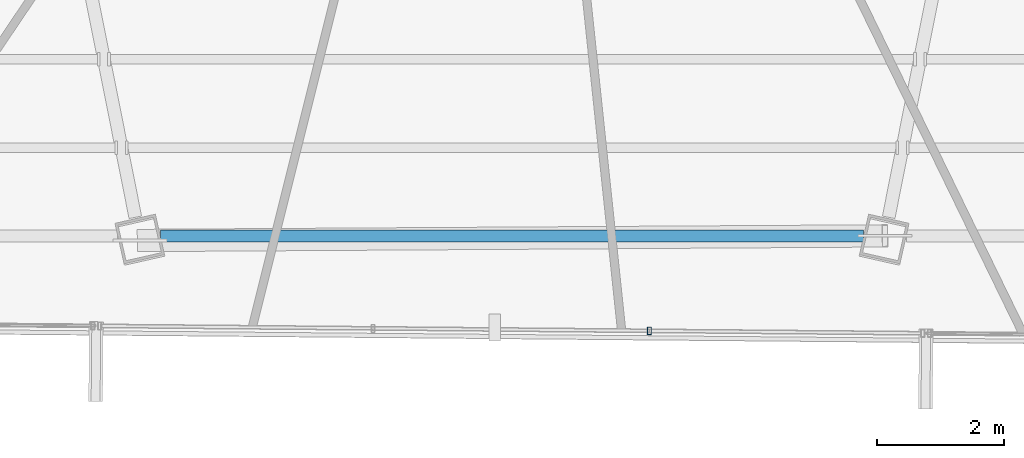
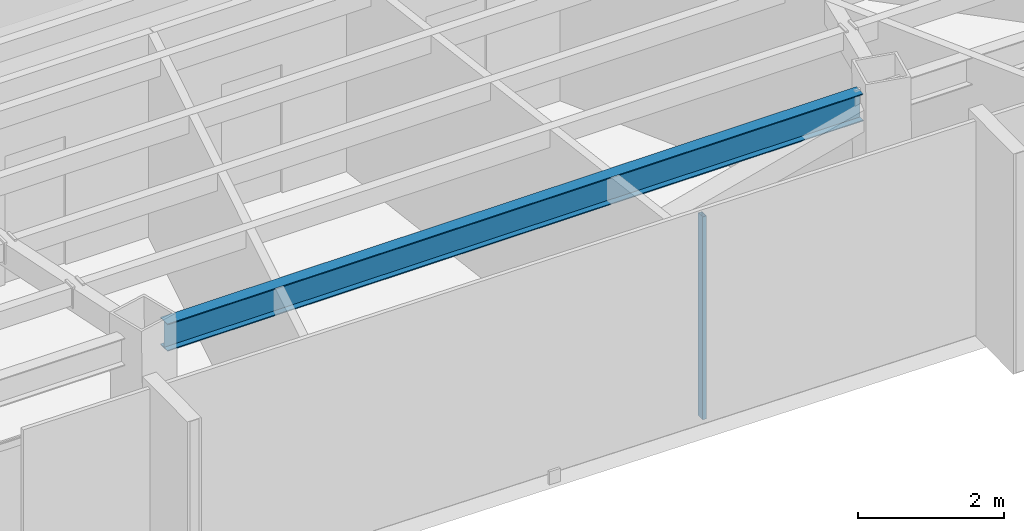
# One storey, part 13 of 45: 1 beam, 1 member, 1 element without a shape of its own.
"""IFC4 building model written with IfcOpenShell, lengths in metres."""

from ifc_helpers import new_model, si_unit, direction, frame, origin, origin_2d, place, context, subcontext, project, spatial, hollow_rectangle, i_section, extrude, source, transform, mapped, material, material_profile, profile_set, type_object, type_shapes, element, aggregate, save


model = new_model("IFC4")

# Units and contexts
model_context = context("Model", 3, precision=1e-05, world=origin(), true_north=direction((0.0, 1.0)))
body_context = subcontext(model_context, "Body", "Model", "MODEL_VIEW")
ifc_project = project(units=[si_unit("LENGTHUNIT", "METRE"), si_unit("AREAUNIT", "SQUARE_METRE"), si_unit("VOLUMEUNIT", "CUBIC_METRE"), si_unit("PLANEANGLEUNIT", "RADIAN"), si_unit("MASSUNIT", "GRAM", prefix="KILO")], contexts=[model_context])

# Site, building, storey
site_placement = place(None, origin())
site = spatial("IfcSite", under=ifc_project, at=site_placement, CompositionType="ELEMENT")
building_placement = place(site_placement, origin())
building = spatial("IfcBuilding", under=site, at=building_placement, Name="Caelisora Broadcast Tower", CompositionType="ELEMENT")
storey_placement = place(building_placement, frame((0.0, 0.0, 240.800048828125)))
storey = spatial("IfcBuildingStorey", under=building, at=storey_placement, Name="L63", CompositionType="ELEMENT", Elevation=240.800048828125)

# Beam
ifc_material_1 = material(Name="Steel Grade 350 (AS/NZS 3679.1)", Category="steel")
ifc_material_profile_1 = material_profile(ifc_material_1, i_section(OverallWidth=0.19091796875, OverallDepth=0.46044921875, WebThickness=0.010009765625, FlangeThickness=0.01611328125, at=origin_2d()), Name="Steel Grade 350 (AS/NZS 3679.1)")
ifc_profile_set_1 = profile_set([ifc_material_profile_1], Name="Steel Grade 350 (AS/NZS 3679.1)")
beam_type = type_object("IfcBeamType", Name="PG06", PredefinedType="BEAM", material=ifc_profile_set_1)
shared_shape_1 = source(origin(), body_context, "Body", "SweptSolid", [
    extrude(i_section(OverallWidth=0.19091796875, OverallDepth=0.46044921875, WebThickness=0.010009765625, FlangeThickness=0.01611328125, at=origin_2d()), origin(), (0.0, 0.0, 1.0), 11.02587890625),
])
type_shapes(beam_type, [shared_shape_1])
beam_placement = place(storey_placement, frame((32.487060546875, 9.09521484375, 3.169677734375), z_axis=(1.0, 0.0, 0.0), x_axis=(0.0, 1.0, 0.0)))
element("IfcBeam", 1, at=beam_placement, inside=storey, type_object=beam_type, Name="L63 beam PG06", PredefinedType="BEAM", context=body_context, shape_type="MappedRepresentation", body=[
    mapped(shared_shape_1, transform((0.0, 0.0, 0.0), scale=1.0)),
])

# Curtain wall, member
ifc_material_2 = material(Name="Unitised Aluminium Insulated Shadow-Box Spandrel Curtain Wall", Category="aluminium")
curtain_wall_type = type_object("IfcCurtainWallType", Name="CW-SP3", PredefinedType="NOTDEFINED", material=ifc_material_2)
curtain_wall_placement = place(storey_placement, origin())
curtain_wall = element("IfcCurtainWall", 2, at=curtain_wall_placement, inside=storey, type_object=curtain_wall_type, Name="L63 curtain wall CW-SP3", PredefinedType="NOTDEFINED")
ifc_material_3 = material(Name="Aluminium 6063-T6 Anodised Terracotta Bronze", Category="aluminium")
ifc_material_profile_2 = material_profile(ifc_material_3, hollow_rectangle(XDim=0.06005859375, YDim=0.1201171875, WallThickness=0.0029296875, at=origin_2d()), Name="Aluminium 6063-T6 Anodised Terracotta Bronze")
ifc_profile_set_2 = profile_set([ifc_material_profile_2], Name="Aluminium 6063-T6 Anodised Terracotta Bronze")
member_type = type_object("IfcMemberType", Name="CWM-04", PredefinedType="MULLION", material=ifc_profile_set_2)
shared_shape_2 = source(origin(), body_context, "Body", "SweptSolid", [
    extrude(hollow_rectangle(XDim=0.06005859375, YDim=0.1201171875, WallThickness=0.0029296875, at=origin_2d()), origin(), (0.0, 0.0, 1.0), 3.39990234375),
])
type_shapes(member_type, [shared_shape_2])
member_placement = place(storey_placement, frame((40.155517578125, 7.605712890625, 0.0), z_axis=(0.0, 0.0, 1.0), x_axis=(1.0, 0.0, 0.0)))
member = element("IfcMember", 3, at=member_placement, type_object=member_type, Name="L63-CW-B06 mullion #1", PredefinedType="MULLION", context=body_context, shape_type="MappedRepresentation", body=[
    mapped(shared_shape_2, transform((0.0, 0.0, 0.0), scale=1.0)),
])
aggregate(curtain_wall, [member])

save(model, "model.ifc")
